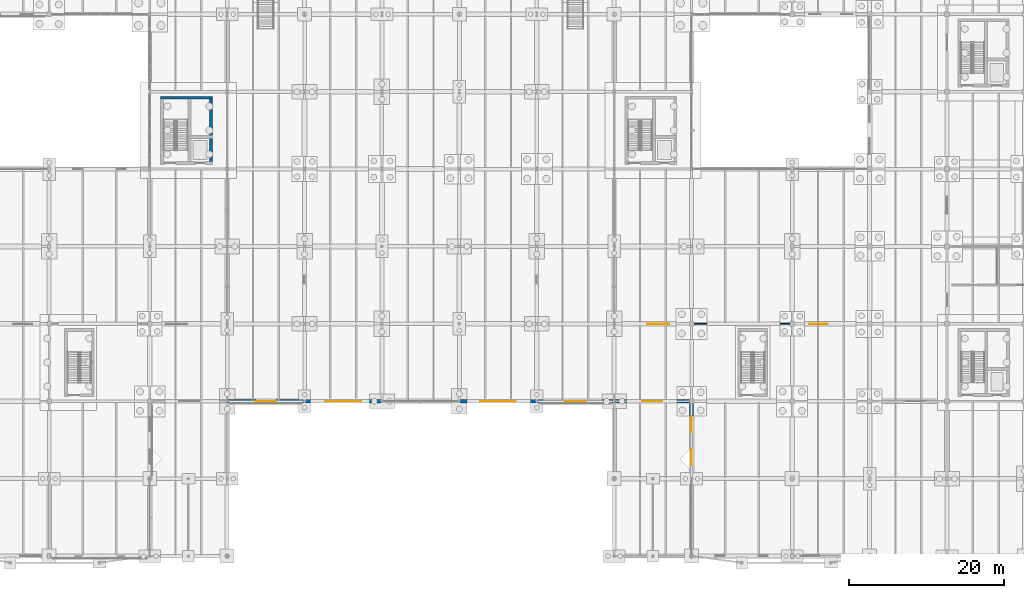
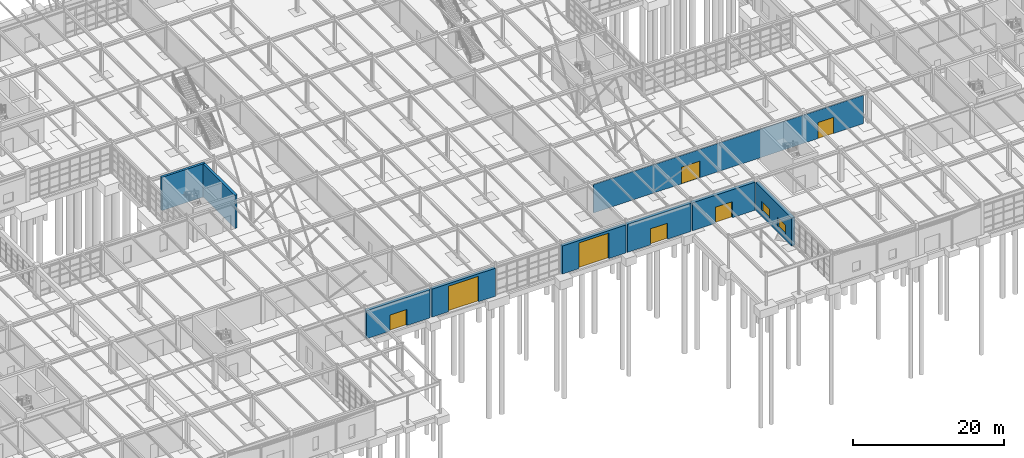
# One storey, part 122 of 145: 9 walls, 7 doors, 2 windows, 9 openings.
"""IFC4 building model written with IfcOpenShell, lengths in metres."""

from ifc_helpers import new_model, si_unit, direction, frame, frame_2d, origin, place, context, subcontext, project, spatial, rectangle, extrude, material, layer, layer_set, type_object, element, fill, save


model = new_model("IFC4")

# Units and contexts
model_context = context("Model", 3, precision=1e-05, world=origin(), true_north=direction((0.0, 1.0)))
body_context = subcontext(model_context, "Body", "Model", "MODEL_VIEW")
ifc_project = project(units=[si_unit("LENGTHUNIT", "METRE"), si_unit("AREAUNIT", "SQUARE_METRE"), si_unit("VOLUMEUNIT", "CUBIC_METRE"), si_unit("PLANEANGLEUNIT", "RADIAN"), si_unit("MASSUNIT", "GRAM", prefix="KILO"), si_unit("THERMODYNAMICTEMPERATUREUNIT", "KELVIN"), si_unit("POWERUNIT", "WATT")], contexts=[model_context])

# Site, building, storey
site_placement = place(None, origin())
site = spatial("IfcSite", under=ifc_project, at=site_placement, CompositionType="ELEMENT")
building_placement = place(site_placement, origin())
building = spatial("IfcBuilding", under=site, at=building_placement, Name="Korenveer Ferry Terminal", CompositionType="ELEMENT")
storey_placement = place(building_placement, origin())
storey = spatial("IfcBuildingStorey", under=building, at=storey_placement, Name="L00", CompositionType="ELEMENT", Elevation=0.0)

# Wall, opening, door
ifc_material_1 = material(Name="Belgian bluestone plinth masonry", Category="masonry")
ifc_layer_1 = layer(ifc_material_1, 0.5)
ifc_layer_set_1 = layer_set([ifc_layer_1], Name="Belgian bluestone plinth masonry")
wall_type_1 = type_object("IfcWallType", Name="ENV-WL-STN500", PredefinedType="SOLIDWALL", material=ifc_layer_set_1)
wall_1_placement = place(storey_placement, frame((63.125, 20.0, 0.0), z_axis=(0.0, 0.0, 1.0), x_axis=(1.0, 0.0, 0.0)))
wall_1 = element("IfcWall", 1, at=wall_1_placement, inside=storey, type_object=wall_type_1, Name="Exterior facade wall EWL-L00-010", PredefinedType="SOLIDWALL", context=body_context, shape_type="SweptSolid", body=[
    extrude(rectangle(XDim=9.75, YDim=0.5, at=frame_2d((4.875, 0.0))), origin(), (0.0, 0.0, 1.0), 4.5400390625),
])
opening_1_placement = place(wall_1_placement, frame((3.574951171875, 0.0, 0.0)))
opening_1 = element("IfcOpeningElement", 2, at=opening_1_placement, cuts=wall_1, Name="Opening E04", PredefinedType="OPENING", context=body_context, shape_type="SweptSolid", body=[
    extrude(rectangle(XDim=2.60009765625, YDim=2.60009765625, at=frame_2d((1.300048828125, 1.300048828125))), frame((0.0, 0.260009765625, 0.0), z_axis=(0.0, -1.0, 0.0), x_axis=(1.0, 0.0, 0.0)), (0.0, 0.0, 1.0), 0.52001953125),
])
ifc_material_2 = material(Name="Thermally broken bronze glazed door", Category="aluminium")
door_type_1 = type_object("IfcDoorType", Name="ENV-DR-EXIT260", OperationType="DOUBLE_DOOR_SINGLE_SWING", PredefinedType="DOOR", material=ifc_material_2)
door_1_placement = place(opening_1_placement, origin())
door_1 = element("IfcDoor", 3, at=door_1_placement, inside=storey, type_object=door_type_1, Name="Arrivals Concourse Exit E04", OperationType="DOUBLE_DOOR_SINGLE_SWING", OverallHeight=2.60009765625, OverallWidth=2.60009765625, PredefinedType="DOOR", context=body_context, shape_type="SweptSolid", body=[
    extrude(rectangle(XDim=2.60009765625, YDim=2.60009765625, at=frame_2d((1.300048828125, 1.300048828125))), frame((0.0, 0.02490234375, 0.0), z_axis=(0.0, -1.0, 0.0), x_axis=(1.0, 0.0, 0.0)), (0.0, 0.0, 1.0), 0.050048828125),
])
fill(opening_1, door_1)

wall_2_placement = place(storey_placement, frame((73.125, 20.0, 0.0), z_axis=(0.0, 0.0, 1.0), x_axis=(1.0, 0.0, 0.0)))
wall_2 = element("IfcWall", 4, at=wall_2_placement, inside=storey, type_object=wall_type_1, Name="Exterior facade wall EWL-L00-011", PredefinedType="SOLIDWALL", context=body_context, shape_type="SweptSolid", body=[
    extrude(rectangle(XDim=9.75, YDim=0.5, at=frame_2d((4.875, 0.0))), origin(), (0.0, 0.0, 1.0), 4.5400390625),
])
opening_2_placement = place(wall_2_placement, frame((2.574951171875, 0.0, 0.0)))
opening_2 = element("IfcOpeningElement", 5, at=opening_2_placement, cuts=wall_2, Name="Opening VG1", PredefinedType="OPENING", context=body_context, shape_type="SweptSolid", body=[
    extrude(rectangle(XDim=4.60009765625, YDim=4.14990234375, at=frame_2d((2.300048828125, 2.074951171875))), frame((0.0, 0.260009765625, 0.0), z_axis=(0.0, -1.0, 0.0), x_axis=(1.0, 0.0, 0.0)), (0.0, 0.0, 1.0), 0.52001953125),
])
ifc_material_3 = material(Name="Insulated marine steel shutter", Category="steel")
door_type_2 = type_object("IfcDoorType", Name="ENV-DR-SHT460", OperationType="ROLLINGUP", PredefinedType="USERDEFINED", material=ifc_material_3)
door_2_placement = place(opening_2_placement, origin())
door_2 = element("IfcDoor", 6, at=door_2_placement, inside=storey, type_object=door_type_2, Name="Vehicle Marshalling Shutter VG1", ObjectType="VEHICLE SHUTTER", OperationType="ROLLINGUP", OverallHeight=4.14990234375, OverallWidth=4.60009765625, PredefinedType="USERDEFINED", context=body_context, shape_type="SweptSolid", body=[
    extrude(rectangle(XDim=4.60009765625, YDim=4.14990234375, at=frame_2d((2.300048828125, 2.074951171875))), frame((0.0, 0.02490234375, 0.0), z_axis=(0.0, -1.0, 0.0), x_axis=(1.0, 0.0, 0.0)), (0.0, 0.0, 1.0), 0.050048828125),
])
fill(opening_2, door_2)

wall_3_placement = place(storey_placement, frame((93.125, 20.0, 0.0), z_axis=(0.0, 0.0, 1.0), x_axis=(1.0, 0.0, 0.0)))
wall_3 = element("IfcWall", 7, at=wall_3_placement, inside=storey, type_object=wall_type_1, Name="Exterior facade wall EWL-L00-012", PredefinedType="SOLIDWALL", context=body_context, shape_type="SweptSolid", body=[
    extrude(rectangle(XDim=9.75, YDim=0.5, at=frame_2d((4.875, 0.0))), origin(), (0.0, 0.0, 1.0), 4.5400390625),
])
opening_3_placement = place(wall_3_placement, frame((2.574951171875, 0.0, 0.0)))
opening_3 = element("IfcOpeningElement", 8, at=opening_3_placement, cuts=wall_3, Name="Opening VG2", PredefinedType="OPENING", context=body_context, shape_type="SweptSolid", body=[
    extrude(rectangle(XDim=4.60009765625, YDim=4.14990234375, at=frame_2d((2.300048828125, 2.074951171875))), frame((0.0, 0.260009765625, 0.0), z_axis=(0.0, -1.0, 0.0), x_axis=(1.0, 0.0, 0.0)), (0.0, 0.0, 1.0), 0.52001953125),
])
door_3_placement = place(opening_3_placement, origin())
door_3 = element("IfcDoor", 9, at=door_3_placement, inside=storey, type_object=door_type_2, Name="Vehicle Marshalling Shutter VG2", ObjectType="VEHICLE SHUTTER", OperationType="ROLLINGUP", OverallHeight=4.14990234375, OverallWidth=4.60009765625, PredefinedType="USERDEFINED", context=body_context, shape_type="SweptSolid", body=[
    extrude(rectangle(XDim=4.60009765625, YDim=4.14990234375, at=frame_2d((2.300048828125, 2.074951171875))), frame((0.0, 0.02490234375, 0.0), z_axis=(0.0, -1.0, 0.0), x_axis=(1.0, 0.0, 0.0)), (0.0, 0.0, 1.0), 0.050048828125),
])
fill(opening_3, door_3)

wall_4_placement = place(storey_placement, frame((103.125, 20.0, 0.0), z_axis=(0.0, 0.0, 1.0), x_axis=(1.0, 0.0, 0.0)))
wall_4 = element("IfcWall", 10, at=wall_4_placement, inside=storey, type_object=wall_type_1, Name="Exterior facade wall EWL-L00-013", PredefinedType="SOLIDWALL", context=body_context, shape_type="SweptSolid", body=[
    extrude(rectangle(XDim=9.75, YDim=0.5, at=frame_2d((4.875, 0.0))), origin(), (0.0, 0.0, 1.0), 4.5400390625),
])
opening_4_placement = place(wall_4_placement, frame((3.574951171875, 0.0, 0.0)))
opening_4 = element("IfcOpeningElement", 11, at=opening_4_placement, cuts=wall_4, Name="Opening E05", PredefinedType="OPENING", context=body_context, shape_type="SweptSolid", body=[
    extrude(rectangle(XDim=2.60009765625, YDim=2.60009765625, at=frame_2d((1.300048828125, 1.300048828125))), frame((0.0, 0.260009765625, 0.0), z_axis=(0.0, -1.0, 0.0), x_axis=(1.0, 0.0, 0.0)), (0.0, 0.0, 1.0), 0.52001953125),
])
door_4_placement = place(opening_4_placement, origin())
door_4 = element("IfcDoor", 12, at=door_4_placement, inside=storey, type_object=door_type_1, Name="Baggage Hall Pedestrian Exit E05", OperationType="DOUBLE_DOOR_SINGLE_SWING", OverallHeight=2.60009765625, OverallWidth=2.60009765625, PredefinedType="DOOR", context=body_context, shape_type="SweptSolid", body=[
    extrude(rectangle(XDim=2.60009765625, YDim=2.60009765625, at=frame_2d((1.300048828125, 1.300048828125))), frame((0.0, 0.02490234375, 0.0), z_axis=(0.0, -1.0, 0.0), x_axis=(1.0, 0.0, 0.0)), (0.0, 0.0, 1.0), 0.050048828125),
])
fill(opening_4, door_4)

wall_5_placement = place(storey_placement, frame((113.125, 20.0, 0.0), z_axis=(0.0, 0.0, 1.0), x_axis=(1.0, 0.0, 0.0)))
wall_5 = element("IfcWall", 13, at=wall_5_placement, inside=storey, type_object=wall_type_1, Name="Exterior facade wall EWL-L00-014", PredefinedType="SOLIDWALL", context=body_context, shape_type="SweptSolid", body=[
    extrude(rectangle(XDim=9.574951171875, YDim=0.5, at=frame_2d((4.78759765625, 0.0))), origin(), (0.0, 0.0, 1.0), 4.5400390625),
])
opening_5_placement = place(wall_5_placement, frame((3.488037109375, 0.0, 0.0)))
opening_5 = element("IfcOpeningElement", 14, at=opening_5_placement, cuts=wall_5, Name="Opening E06", PredefinedType="OPENING", context=body_context, shape_type="SweptSolid", body=[
    extrude(rectangle(XDim=2.60009765625, YDim=2.60009765625, at=frame_2d((1.300048828125, 1.300048828125))), frame((0.0, 0.260009765625, 0.0), z_axis=(0.0, -1.0, 0.0), x_axis=(1.0, 0.0, 0.0)), (0.0, 0.0, 1.0), 0.52001953125),
])
door_5_placement = place(opening_5_placement, origin())
door_5 = element("IfcDoor", 15, at=door_5_placement, inside=storey, type_object=door_type_1, Name="Customs Hall Pedestrian Exit E06", OperationType="DOUBLE_DOOR_SINGLE_SWING", OverallHeight=2.60009765625, OverallWidth=2.60009765625, PredefinedType="DOOR", context=body_context, shape_type="SweptSolid", body=[
    extrude(rectangle(XDim=2.60009765625, YDim=2.60009765625, at=frame_2d((1.300048828125, 1.300048828125))), frame((0.0, 0.02490234375, 0.0), z_axis=(0.0, -1.0, 0.0), x_axis=(1.0, 0.0, 0.0)), (0.0, 0.0, 1.0), 0.050048828125),
])
fill(opening_5, door_5)

# Wall, openings, windows
wall_6_placement = place(storey_placement, frame((123.0, 10.125, 0.0), z_axis=(0.0, 0.0, 1.0), x_axis=(0.0, 1.0, 0.0)))
wall_6 = element("IfcWall", 16, at=wall_6_placement, inside=storey, type_object=wall_type_1, Name="Exterior facade wall EWL-L00-029", PredefinedType="SOLIDWALL", context=body_context, shape_type="SweptSolid", body=[
    extrude(rectangle(XDim=9.574951171875, YDim=0.5, at=frame_2d((4.78759765625, 0.0))), origin(), (0.0, 0.0, 1.0), 4.530029296875),
])
opening_6_placement = place(wall_6_placement, frame((1.631103515625, 0.0, 0.89990234375)))
opening_6 = element("IfcOpeningElement", 17, at=opening_6_placement, cuts=wall_6, Name="Opening WN-23", PredefinedType="OPENING", context=body_context, shape_type="SweptSolid", body=[
    extrude(rectangle(XDim=2.10009765625, YDim=1.5, at=frame_2d((1.050048828125, 0.75))), frame((0.0, 0.260009765625, 0.0), z_axis=(0.0, -1.0, 0.0), x_axis=(1.0, 0.0, 0.0)), (0.0, 0.0, 1.0), 0.52001953125),
])
opening_7_placement = place(wall_6_placement, frame((5.843994140625, 0.0, 0.89990234375)))
opening_7 = element("IfcOpeningElement", 18, at=opening_7_placement, cuts=wall_6, Name="Opening WN-23", PredefinedType="OPENING", context=body_context, shape_type="SweptSolid", body=[
    extrude(rectangle(XDim=2.10009765625, YDim=1.5, at=frame_2d((1.050048828125, 0.75))), frame((0.0, 0.260009765625, 0.0), z_axis=(0.0, -1.0, 0.0), x_axis=(1.0, 0.0, 0.0)), (0.0, 0.0, 1.0), 0.52001953125),
])
ifc_material_4 = material(Name="Low-iron triple glazing in bronze frame", Category="glass")
window_type = type_object("IfcWindowType", Name="ENV-WN-23", PartitioningType="SINGLE_PANEL", PredefinedType="WINDOW", material=ifc_material_4)
window_1_placement = place(opening_6_placement, origin())
window_1 = element("IfcWindow", 19, at=window_1_placement, inside=storey, type_object=window_type, Name="Lancet facade window 23", OverallHeight=1.5, OverallWidth=2.10009765625, PartitioningType="SINGLE_PANEL", PredefinedType="WINDOW", context=body_context, shape_type="SweptSolid", body=[
    extrude(rectangle(XDim=2.10009765625, YDim=1.5, at=frame_2d((1.050048828125, 0.75))), frame((0.0, 0.030029296875, 0.0), z_axis=(0.0, -1.0, 0.0), x_axis=(1.0, 0.0, 0.0)), (0.0, 0.0, 1.0), 0.06005859375),
])
fill(opening_6, window_1)
window_2_placement = place(opening_7_placement, origin())
window_2 = element("IfcWindow", 20, at=window_2_placement, inside=storey, type_object=window_type, Name="Lancet facade window 24", OverallHeight=1.5, OverallWidth=2.10009765625, PartitioningType="SINGLE_PANEL", PredefinedType="WINDOW", context=body_context, shape_type="SweptSolid", body=[
    extrude(rectangle(XDim=2.10009765625, YDim=1.5, at=frame_2d((1.050048828125, 0.75))), frame((0.0, 0.030029296875, 0.0), z_axis=(0.0, -1.0, 0.0), x_axis=(1.0, 0.0, 0.0)), (0.0, 0.0, 1.0), 0.06005859375),
])
fill(opening_7, window_2)

# Walls
ifc_material_5 = material(Name="Concrete C45/55", Category="concrete")
ifc_layer_2 = layer(ifc_material_5, 0.360107421875)
ifc_layer_set_2 = layer_set([ifc_layer_2], Name="Concrete C45/55")
wall_type_2 = type_object("IfcWallType", Name="INT-WL-CORE360", PredefinedType="SHEAR", material=ifc_layer_set_2)
wall_7_placement = place(storey_placement, frame((54.39990234375, 59.219970703125, 0.0), z_axis=(0.0, 0.0, 1.0), x_axis=(1.0, 0.0, 0.0)))
element("IfcWall", 21, at=wall_7_placement, inside=storey, type_object=wall_type_2, Name="Departure West Core K5 north shear wall L00", PredefinedType="SHEAR", context=body_context, shape_type="SweptSolid", body=[
    extrude(rectangle(XDim=6.68017578125, YDim=0.360107421875, at=frame_2d((3.340087890625, 0.0))), origin(), (0.0, 0.0, 1.0), 5.39990234375),
])
wall_8_placement = place(storey_placement, frame((60.89990234375, 50.60009765625, 0.0), z_axis=(0.0, 0.0, 1.0), x_axis=(0.0, 1.0, 0.0)))
element("IfcWall", 22, at=wall_8_placement, inside=storey, type_object=wall_type_2, Name="Departure West Core K5 east shear wall L00", PredefinedType="SHEAR", context=body_context, shape_type="SweptSolid", body=[
    extrude(rectangle(XDim=8.7998046875, YDim=0.360107421875, at=frame_2d((4.39990234375, 0.0))), origin(), (0.0, 0.0, 1.0), 5.39990234375),
])

# Wall, openings, doors
ifc_material_6 = material(Name="Acoustic gypsum board stud partition", Category="other")
ifc_layer_3 = layer(ifc_material_6, 0.14990234375)
ifc_layer_set_3 = layer_set([ifc_layer_3], Name="Acoustic gypsum board stud partition")
wall_type_3 = type_object("IfcWallType", Name="INT-WL-PART150", PredefinedType="PARTITIONING", material=ifc_layer_set_3)
wall_9_placement = place(storey_placement, frame((103.800048828125, 30.0, 0.0), z_axis=(0.0, 0.0, 1.0), x_axis=(1.0, 0.0, 0.0)))
wall_9 = element("IfcWall", 23, at=wall_9_placement, inside=storey, type_object=wall_type_3, Name="Interior partition PWL-L00-017", PredefinedType="PARTITIONING", context=body_context, shape_type="SweptSolid", body=[
    extrude(rectangle(XDim=41.39990234375, YDim=0.14990234375, at=frame_2d((20.699951171875, 0.0))), origin(), (0.0, 0.0, 1.0), 4.590087890625),
])
opening_8_placement = place(wall_9_placement, frame((13.50390625, 0.0, 0.0)))
opening_8 = element("IfcOpeningElement", 24, at=opening_8_placement, cuts=wall_9, Name="Opening ID-019", PredefinedType="OPENING", context=body_context, shape_type="SweptSolid", body=[
    extrude(rectangle(XDim=2.800048828125, YDim=2.699951171875, at=frame_2d((1.39990234375, 1.35009765625))), frame((0.0, 0.0849609375, 0.0), z_axis=(0.0, -1.0, 0.0), x_axis=(1.0, 0.0, 0.0)), (0.0, 0.0, 1.0), 0.169921875),
])
opening_9_placement = place(wall_9_placement, frame((34.404052734375, 0.0, 0.0)))
opening_9 = element("IfcOpeningElement", 25, at=opening_9_placement, cuts=wall_9, Name="Opening ID-020", PredefinedType="OPENING", context=body_context, shape_type="SweptSolid", body=[
    extrude(rectangle(XDim=2.39990234375, YDim=2.60009765625, at=frame_2d((1.199951171875, 1.300048828125))), frame((0.0, 0.0849609375, 0.0), z_axis=(0.0, -1.0, 0.0), x_axis=(1.0, 0.0, 0.0)), (0.0, 0.0, 1.0), 0.169921875),
])
ifc_material_7 = material(Name="Solid hardwood and steel acoustic door", Category="steel")
door_type_3 = type_object("IfcDoorType", Name="INT-DR-CON240U", OperationType="DOUBLE_DOOR_SINGLE_SWING", PredefinedType="DOOR", material=ifc_material_7)
door_6_placement = place(opening_9_placement, origin())
door_6 = element("IfcDoor", 26, at=door_6_placement, inside=storey, type_object=door_type_3, Name="Arrivals East Corridor Portal", OperationType="DOUBLE_DOOR_SINGLE_SWING", OverallHeight=2.60009765625, OverallWidth=2.39990234375, PredefinedType="DOOR", context=body_context, shape_type="SweptSolid", body=[
    extrude(rectangle(XDim=2.39990234375, YDim=2.60009765625, at=frame_2d((1.199951171875, 1.300048828125))), frame((0.0, 0.02490234375, 0.0), z_axis=(0.0, -1.0, 0.0), x_axis=(1.0, 0.0, 0.0)), (0.0, 0.0, 1.0), 0.050048828125),
])
fill(opening_9, door_6)
door_type_4 = type_object("IfcDoorType", Name="INT-DR-CON280U", OperationType="DOUBLE_DOOR_SINGLE_SWING", PredefinedType="DOOR", material=ifc_material_7)
door_7_placement = place(opening_8_placement, origin())
door_7 = element("IfcDoor", 27, at=door_7_placement, inside=storey, type_object=door_type_4, Name="Customs Declaration Portal", OperationType="DOUBLE_DOOR_SINGLE_SWING", OverallHeight=2.699951171875, OverallWidth=2.800048828125, PredefinedType="DOOR", context=body_context, shape_type="SweptSolid", body=[
    extrude(rectangle(XDim=2.800048828125, YDim=2.699951171875, at=frame_2d((1.39990234375, 1.35009765625))), frame((0.0, 0.02490234375, 0.0), z_axis=(0.0, -1.0, 0.0), x_axis=(1.0, 0.0, 0.0)), (0.0, 0.0, 1.0), 0.050048828125),
])
fill(opening_8, door_7)

save(model, "model.ifc")
